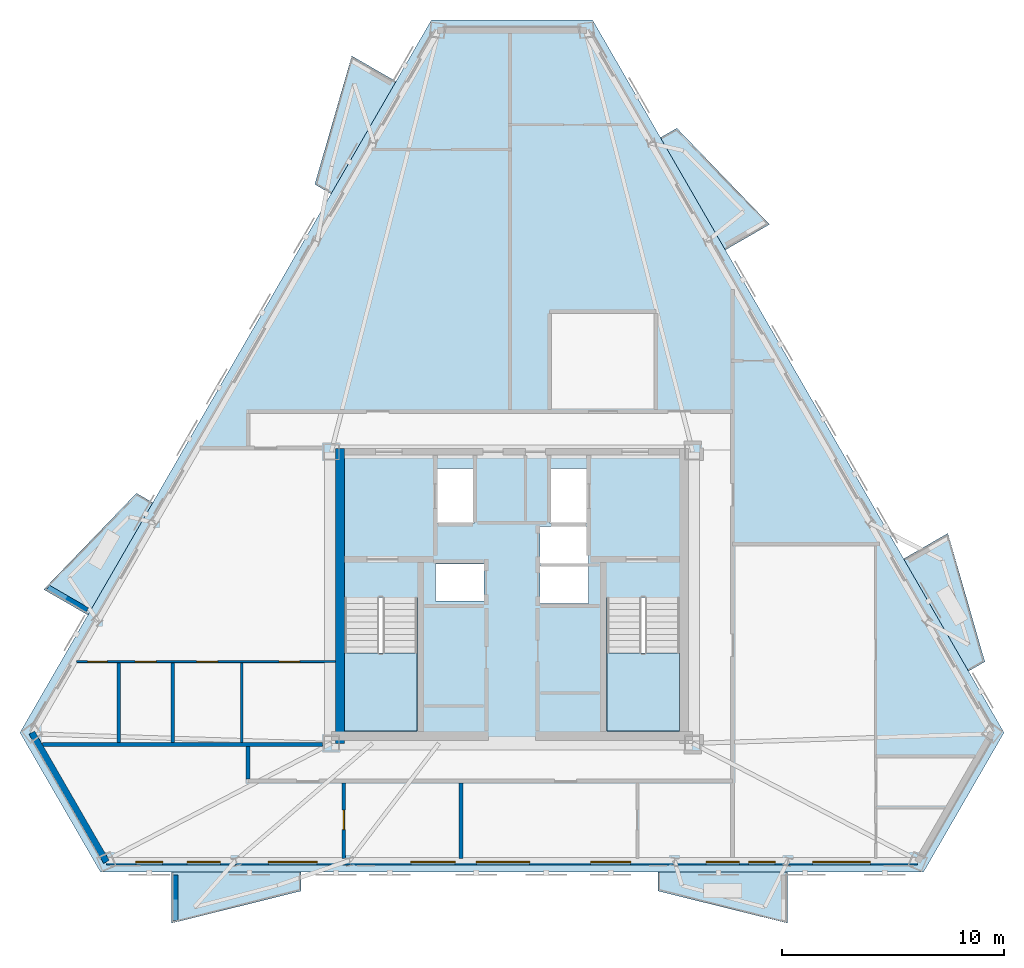
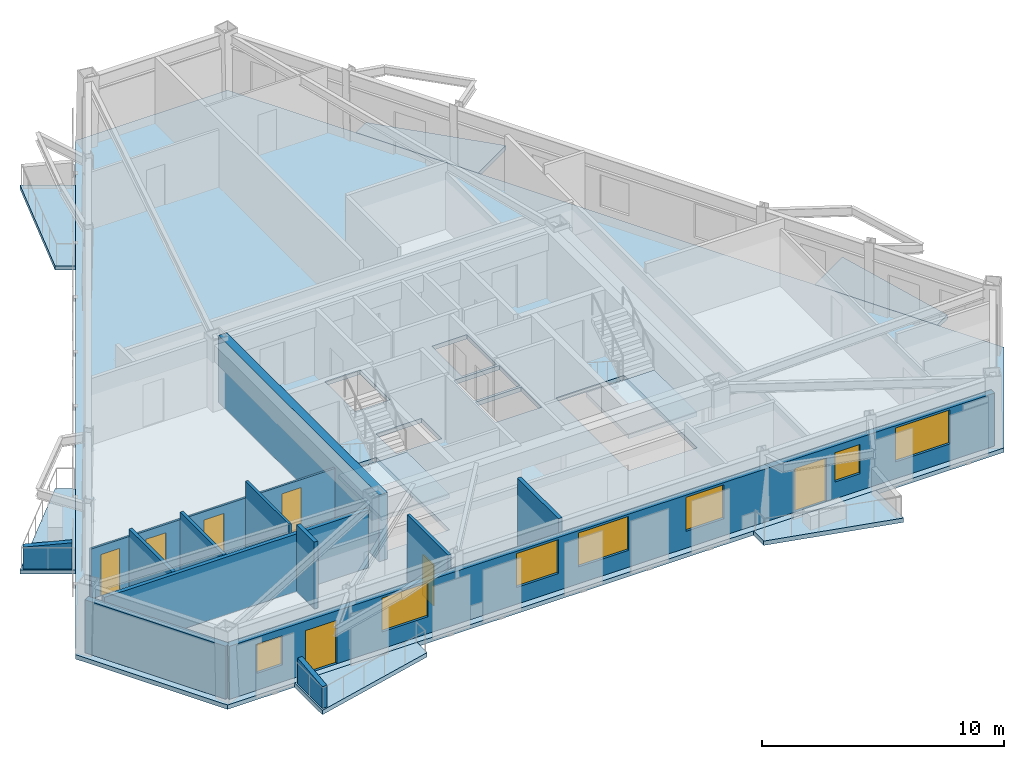
# One storey, part 2 of 8: 13 walls, 9 slabs, 7 doors, 7 windows, 14 openings, 2 elements without a shape of their own.
"""IFC4 building model written with IfcOpenShell, lengths in metres."""

from ifc_helpers import new_model, si_unit, direction, frame, frame_2d, origin, place, context, subcontext, project, spatial, polyline, rectangle, outline, extrude, material, layer, layer_set, type_object, element, fill, aggregate, save


model = new_model("IFC4")

# Units and contexts
model_context = context("Model", 3, precision=1e-05, world=origin(), true_north=direction((0.0, 1.0)))
body_context = subcontext(model_context, "Body", "Model", "MODEL_VIEW")
ifc_project = project(units=[si_unit("LENGTHUNIT", "METRE"), si_unit("AREAUNIT", "SQUARE_METRE"), si_unit("VOLUMEUNIT", "CUBIC_METRE"), si_unit("PLANEANGLEUNIT", "RADIAN"), si_unit("MASSUNIT", "GRAM", prefix="KILO")], contexts=[model_context])

# Site, building, storey
site_placement = place(None, origin())
site = spatial("IfcSite", under=ifc_project, at=site_placement, CompositionType="ELEMENT")
building_placement = place(site_placement, origin())
building = spatial("IfcBuilding", under=site, at=building_placement, Name="Oramaril Tower", CompositionType="ELEMENT")
storey_placement = place(building_placement, frame((0.0, 0.0, 216.300048828125)))
storey = spatial("IfcBuildingStorey", under=building, at=storey_placement, Name="L57", CompositionType="ELEMENT", Elevation=216.300048828125)

# Slabs
ifc_material_1 = material(Name="Concrete C40/50", Category="concrete")
ifc_layer_1 = layer(ifc_material_1, 0.199951171875)
ifc_layer_set_1 = layer_set([ifc_layer_1], Name="SLT-BAL20")
slab_type_1 = type_object("IfcSlabType", Name="SLT-BAL20", PredefinedType="FLOOR", material=ifc_layer_set_1)
slab_1_placement = place(storey_placement, frame((0.0, 0.0, -0.219970703125)))
element("IfcSlab", 1, at=slab_1_placement, inside=storey, type_object=slab_type_1, Name="L57 Cantilevered Balcony Slab L57-BAL-S1", PredefinedType="FLOOR", context=body_context, shape_type="SweptSolid", body=[
    extrude(outline(polyline([(22.14501953125, 5.193603515625), (27.9951171875, 5.193603515625), (27.9951171875, 4.341796875), (22.14501953125, 2.8916015625), (22.14501953125, 5.193603515625)])), origin(), (0.0, 0.0, 1.0), 0.219970703125),
])
slab_2_placement = place(storey_placement, frame((0.0, 0.0, -0.219970703125)))
element("IfcSlab", 2, at=slab_2_placement, inside=storey, type_object=slab_type_1, Name="L57 Cantilevered Balcony Slab L57-BAL-NE2", PredefinedType="FLOOR", context=body_context, shape_type="SweptSolid", body=[
    extrude(outline(polyline([(47.119384765625, 33.25146484375), (44.1943359375, 38.317626953125), (44.93212890625, 38.74365234375), (49.11279296875, 34.402587890625), (47.119384765625, 33.25146484375)])), origin(), (0.0, 0.0, 1.0), 0.219970703125),
])
slab_3_placement = place(storey_placement, frame((0.0, 0.0, -0.219970703125)))
element("IfcSlab", 3, at=slab_3_placement, inside=storey, type_object=slab_type_1, Name="L57 Cantilevered Balcony Slab L57-BAL-NW1", PredefinedType="FLOOR", context=body_context, shape_type="SweptSolid", body=[
    extrude(outline(polyline([(32.268310546875, 40.850830078125), (29.34326171875, 35.78466796875), (28.60546875, 36.210693359375), (30.274658203125, 42.001708984375), (32.268310546875, 40.850830078125)])), origin(), (0.0, 0.0, 1.0), 0.219970703125),
])
ifc_material_2 = material(Name="Concrete C50/60", Category="concrete")
ifc_layer_2 = layer(ifc_material_2, 0.219970703125)
ifc_layer_set_2 = layer_set([ifc_layer_2], Name="SLT-FLR22")
slab_type_2 = type_object("IfcSlabType", Name="SLT-FLR22", PredefinedType="FLOOR", material=ifc_layer_set_2)
slab_4_placement = place(storey_placement, frame((0.0, 0.0, -0.219970703125)))
element("IfcSlab", 4, at=slab_4_placement, inside=storey, type_object=slab_type_2, Name="L57 Structural Floor Slab", PredefinedType="FLOOR", context=body_context, shape_type="SweptSolid", body=[
    extrude(outline(polyline([(15.3115234375, 11.485107421875), (18.945068359375, 5.191650390625), (56.054931640625, 5.191650390625), (59.6884765625, 11.485107421875), (41.133544921875, 43.623046875), (33.866455078125, 43.623046875), (15.3115234375, 11.485107421875)]), holes=[polyline([(29.949951171875, 17.58935546875), (29.949951171875, 11.550048828125), (33.219970703125, 11.550048828125), (33.219970703125, 17.58935546875), (29.949951171875, 17.58935546875)]), polyline([(41.780029296875, 17.58935546875), (41.780029296875, 11.550048828125), (45.050048828125, 11.550048828125), (45.050048828125, 17.58935546875), (41.780029296875, 17.58935546875)]), polyline([(34.110107421875, 20.909912109375), (35.7900390625, 20.909912109375), (35.7900390625, 23.389892578125), (34.110107421875, 23.389892578125), (34.110107421875, 20.909912109375)]), polyline([(39.2099609375, 20.909912109375), (40.889892578125, 20.909912109375), (40.889892578125, 23.389892578125), (39.2099609375, 23.389892578125), (39.2099609375, 20.909912109375)]), polyline([(34.06005859375, 17.409912109375), (36.239990234375, 17.409912109375), (36.239990234375, 19.090087890625), (34.06005859375, 19.090087890625), (34.06005859375, 17.409912109375)]), polyline([(38.760009765625, 17.31005859375), (40.93994140625, 17.31005859375), (40.93994140625, 18.989990234375), (38.760009765625, 18.989990234375), (38.760009765625, 17.31005859375)]), polyline([(38.760009765625, 19.110107421875), (40.93994140625, 19.110107421875), (40.93994140625, 20.7900390625), (38.760009765625, 20.7900390625), (38.760009765625, 19.110107421875)])]), origin(), (0.0, 0.0, 1.0), 0.219970703125),
])

# Stair, slab
ifc_material_3 = material(Name="Concrete C50/60", Category="concrete")
stair_type = type_object("IfcStairType", Name="STT-DG-3600", PredefinedType="HALF_TURN_STAIR", material=ifc_material_3)
stair_1_placement = place(storey_placement, origin())
stair_1 = element("IfcStair", 5, at=stair_1_placement, inside=storey, type_object=stair_type, Name="L57 Protected PFP Exit Stair ST-1", PredefinedType="HALF_TURN_STAIR")
ifc_material_4 = material(Name="Concrete C50/60", Category="concrete")
ifc_layer_3 = layer(ifc_material_4, 0.199951171875)
ifc_layer_set_3 = layer_set([ifc_layer_3], Name="SLT-LND20")
slab_type_3 = type_object("IfcSlabType", Name="SLT-LND20", PredefinedType="LANDING", material=ifc_layer_set_3)
slab_5_placement = place(storey_placement, frame((0.0, 0.0, 1.599853515625)))
slab_5 = element("IfcSlab", 6, at=slab_5_placement, type_object=slab_type_3, Name="ST-1 landing 1", PredefinedType="LANDING", context=body_context, shape_type="SweptSolid", body=[
    extrude(outline(polyline([(29.949951171875, 15.070068359375), (29.949951171875, 11.550048828125), (33.219970703125, 11.550048828125), (33.219970703125, 15.070068359375), (29.949951171875, 15.070068359375)])), origin(), (0.0, 0.0, 1.0), 0.2001953125),
])
aggregate(stair_1, [slab_5])

stair_2_placement = place(storey_placement, origin())
stair_2 = element("IfcStair", 7, at=stair_2_placement, inside=storey, type_object=stair_type, Name="L57 Protected PFP Exit Stair ST-2", PredefinedType="HALF_TURN_STAIR")
slab_6_placement = place(storey_placement, frame((0.0, 0.0, 1.599853515625)))
slab_6 = element("IfcSlab", 8, at=slab_6_placement, type_object=slab_type_3, Name="ST-2 landing 1", PredefinedType="LANDING", context=body_context, shape_type="SweptSolid", body=[
    extrude(outline(polyline([(41.780029296875, 15.070068359375), (41.780029296875, 11.550048828125), (45.050048828125, 11.550048828125), (45.050048828125, 15.070068359375), (41.780029296875, 15.070068359375)])), origin(), (0.0, 0.0, 1.0), 0.2001953125),
])
aggregate(stair_2, [slab_6])

# Slabs
ifc_material_5 = material(Name="Concrete C40/50", Category="concrete")
ifc_layer_4 = layer(ifc_material_5, 0.18994140625)
ifc_layer_set_4 = layer_set([ifc_layer_4], Name="SLT-PLN19")
slab_type_4 = type_object("IfcSlabType", Name="SLT-PLN19", PredefinedType="FLOOR", material=ifc_layer_set_4)
slab_7_placement = place(storey_placement, frame((0.0, 0.0, -0.219970703125)))
element("IfcSlab", 9, at=slab_7_placement, inside=storey, type_object=slab_type_4, Name="L57 Tree Planter Balcony Slab L57-BAL-S2", PredefinedType="FLOOR", context=body_context, shape_type="SweptSolid", body=[
    extrude(outline(polyline([(44.079833984375, 5.193603515625), (49.929931640625, 5.193603515625), (49.929931640625, 2.8916015625), (44.079833984375, 4.341796875), (44.079833984375, 5.193603515625)])), origin(), (0.0, 0.0, 1.0), 0.219970703125),
])
slab_8_placement = place(storey_placement, frame((0.0, 0.0, -0.219970703125)))
element("IfcSlab", 10, at=slab_8_placement, inside=storey, type_object=slab_type_4, Name="L57 Tree Planter Balcony Slab L57-BAL-NE1", PredefinedType="FLOOR", context=body_context, shape_type="SweptSolid", body=[
    extrude(outline(polyline([(58.086669921875, 14.255615234375), (55.16162109375, 19.32177734375), (57.1552734375, 20.47265625), (58.824462890625, 14.681396484375), (58.086669921875, 14.255615234375)])), origin(), (0.0, 0.0, 1.0), 0.219970703125),
])
slab_9_placement = place(storey_placement, frame((0.0, 0.0, -0.219970703125)))
element("IfcSlab", 11, at=slab_9_placement, inside=storey, type_object=slab_type_4, Name="L57 Tree Planter Balcony Slab L57-BAL-NW2", PredefinedType="FLOOR", context=body_context, shape_type="SweptSolid", body=[
    extrude(outline(polyline([(21.30078125, 21.854736328125), (18.375732421875, 16.78857421875), (16.382080078125, 17.939697265625), (20.56298828125, 22.28076171875), (21.30078125, 21.854736328125)])), origin(), (0.0, 0.0, 1.0), 0.219970703125),
])

# Wall
ifc_material_6 = material(Name="Warm Cream Limestone", Category="masonry")
ifc_layer_5 = layer(ifc_material_6, 0.2900390625)
ifc_layer_set_5 = layer_set([ifc_layer_5], Name="WT-EXT29")
wall_type_1 = type_object("IfcWallType", Name="WT-EXT29", PredefinedType="SOLIDWALL", material=ifc_layer_set_5)
wall_1_placement = place(storey_placement, frame((15.8427734375, 11.485107421875, 0.0), z_axis=(0.0, 0.0, 1.0), x_axis=(0.499994363989, -0.866028657713, 0.0)))
element("IfcWall", 12, at=wall_1_placement, inside=storey, type_object=wall_type_1, Name="L57 Tower Limestone Facade Wall 1M", PredefinedType="SOLIDWALL", context=body_context, shape_type="SweptSolid", body=[
    extrude(rectangle(XDim=6.73583984375, YDim=0.2900390625, at=frame_2d((3.367919921875, 0.0))), origin(), (0.0, 0.0, 1.0), 2.677001953125),
])

# Wall, openings, doors, windows
wall_2_placement = place(storey_placement, frame((19.210693359375, 5.651611328125, 0.0), z_axis=(0.0, 0.0, 1.0), x_axis=(1.0, 0.0, 0.0)))
wall_2 = element("IfcWall", 13, at=wall_2_placement, inside=storey, type_object=wall_type_1, Name="L57 Tower Limestone Facade Wall 2M", PredefinedType="SOLIDWALL", context=body_context, shape_type="SweptSolid", body=[
    extrude(rectangle(XDim=36.57861328125, YDim=0.2900390625, at=frame_2d((18.289306640625, 0.0))), origin(), (0.0, 0.0, 1.0), 2.677001953125),
])
opening_1_placement = place(wall_2_placement, frame((3.639404296875, 0.0, 0.0)))
opening_1 = element("IfcOpeningElement", 14, at=opening_1_placement, cuts=wall_2, Name="Opening D-L57-BAL-S1", PredefinedType="OPENING", context=body_context, shape_type="SweptSolid", body=[
    extrude(rectangle(XDim=1.5, YDim=2.199951171875, at=frame_2d((0.75, 1.10009765625))), frame((0.0, 0.14501953125, 0.0), z_axis=(0.0, -1.0, 0.0), x_axis=(1.0, 0.0, 0.0)), (0.0, 0.0, 1.0), 0.2900390625),
])
opening_2_placement = place(wall_2_placement, frame((27.044189453125, 0.0, 0.0)))
opening_2 = element("IfcOpeningElement", 15, at=opening_2_placement, cuts=wall_2, Name="Opening D-L57-BAL-S2", PredefinedType="OPENING", context=body_context, shape_type="SweptSolid", body=[
    extrude(rectangle(XDim=1.5, YDim=2.199951171875, at=frame_2d((0.75, 1.10009765625))), frame((0.0, 0.14501953125, 0.0), z_axis=(0.0, -1.0, 0.0), x_axis=(1.0, 0.0, 0.0)), (0.0, 0.0, 1.0), 0.2900390625),
])
opening_3_placement = place(wall_2_placement, frame((1.33056640625, 0.0, 0.85009765625)))
opening_3 = element("IfcOpeningElement", 16, at=opening_3_placement, cuts=wall_2, Name="Opening WN-09", PredefinedType="OPENING", context=body_context, shape_type="SweptSolid", body=[
    extrude(rectangle(XDim=1.199951171875, YDim=1.47998046875, at=frame_2d((0.60009765625, 0.739990234375))), frame((0.0, 0.14501953125, 0.0), z_axis=(0.0, -1.0, 0.0), x_axis=(1.0, 0.0, 0.0)), (0.0, 0.0, 1.0), 0.2900390625),
])
opening_4_placement = place(wall_2_placement, frame((7.303955078125, 0.0, 0.85009765625)))
opening_4 = element("IfcOpeningElement", 17, at=opening_4_placement, cuts=wall_2, Name="Opening WN-04", PredefinedType="OPENING", context=body_context, shape_type="SweptSolid", body=[
    extrude(rectangle(XDim=2.199951171875, YDim=1.717041015625, at=frame_2d((1.10009765625, 0.8583984375))), frame((0.0, 0.14501953125, 0.0), z_axis=(0.0, -1.0, 0.0), x_axis=(1.0, 0.0, 0.0)), (0.0, 0.0, 1.0), 0.2900390625),
])
opening_5_placement = place(wall_2_placement, frame((13.726318359375, 0.0, 0.85009765625)))
opening_5 = element("IfcOpeningElement", 18, at=opening_5_placement, cuts=wall_2, Name="Opening WN-05", PredefinedType="OPENING", context=body_context, shape_type="SweptSolid", body=[
    extrude(rectangle(XDim=2.0, YDim=1.717041015625, at=frame_2d((1.0, 0.8583984375))), frame((0.0, 0.14501953125, 0.0), z_axis=(0.0, -1.0, 0.0), x_axis=(1.0, 0.0, 0.0)), (0.0, 0.0, 1.0), 0.2900390625),
])
opening_6_placement = place(wall_2_placement, frame((16.687255859375, 0.0, 0.85009765625)))
opening_6 = element("IfcOpeningElement", 19, at=opening_6_placement, cuts=wall_2, Name="Opening WN-03", PredefinedType="OPENING", context=body_context, shape_type="SweptSolid", body=[
    extrude(rectangle(XDim=2.39990234375, YDim=1.717041015625, at=frame_2d((1.199951171875, 0.8583984375))), frame((0.0, 0.14501953125, 0.0), z_axis=(0.0, -1.0, 0.0), x_axis=(1.0, 0.0, 0.0)), (0.0, 0.0, 1.0), 0.2900390625),
])
opening_7_placement = place(wall_2_placement, frame((21.837158203125, 0.0, 0.85009765625)))
opening_7 = element("IfcOpeningElement", 20, at=opening_7_placement, cuts=wall_2, Name="Opening WN-06", PredefinedType="OPENING", context=body_context, shape_type="SweptSolid", body=[
    extrude(rectangle(XDim=1.800048828125, YDim=1.717041015625, at=frame_2d((0.89990234375, 0.8583984375))), frame((0.0, 0.14501953125, 0.0), z_axis=(0.0, -1.0, 0.0), x_axis=(1.0, 0.0, 0.0)), (0.0, 0.0, 1.0), 0.2900390625),
])
opening_8_placement = place(wall_2_placement, frame((28.955078125, 0.0, 0.85009765625)))
opening_8 = element("IfcOpeningElement", 21, at=opening_8_placement, cuts=wall_2, Name="Opening WN-09", PredefinedType="OPENING", context=body_context, shape_type="SweptSolid", body=[
    extrude(rectangle(XDim=1.199951171875, YDim=1.47998046875, at=frame_2d((0.60009765625, 0.739990234375))), frame((0.0, 0.14501953125, 0.0), z_axis=(0.0, -1.0, 0.0), x_axis=(1.0, 0.0, 0.0)), (0.0, 0.0, 1.0), 0.2900390625),
])
opening_9_placement = place(wall_2_placement, frame((31.846923828125, 0.0, 0.85009765625)))
opening_9 = element("IfcOpeningElement", 22, at=opening_9_placement, cuts=wall_2, Name="Opening WN-02", PredefinedType="OPENING", context=body_context, shape_type="SweptSolid", body=[
    extrude(rectangle(XDim=2.60009765625, YDim=1.717041015625, at=frame_2d((1.300048828125, 0.8583984375))), frame((0.0, 0.14501953125, 0.0), z_axis=(0.0, -1.0, 0.0), x_axis=(1.0, 0.0, 0.0)), (0.0, 0.0, 1.0), 0.2900390625),
])
ifc_material_7 = material(Name="Anodised Aluminium 6063-T6", Category="aluminium")
door_type_1 = type_object("IfcDoorType", Name="DT-BAL", OperationType="NOTDEFINED", PredefinedType="DOOR", material=ifc_material_7)
door_1_placement = place(opening_1_placement, origin())
door_1 = element("IfcDoor", 23, at=door_1_placement, inside=storey, type_object=door_type_1, Name="L57 Balcony Glazed Door L57-BAL-S1", OperationType="SINGLE_SWING_RIGHT", OverallHeight=2.199951171875, OverallWidth=1.5, PredefinedType="DOOR", context=body_context, shape_type="SweptSolid", body=[
    extrude(rectangle(XDim=1.5, YDim=2.199951171875, at=frame_2d((0.75, 1.10009765625))), frame((0.0, 0.02490234375, 0.0), z_axis=(0.0, -1.0, 0.0), x_axis=(1.0, 0.0, 0.0)), (0.0, 0.0, 1.0), 0.050048828125),
])
fill(opening_1, door_1)
door_2_placement = place(opening_2_placement, origin())
door_2 = element("IfcDoor", 24, at=door_2_placement, inside=storey, type_object=door_type_1, Name="L57 Balcony Glazed Door L57-BAL-S2", OperationType="SINGLE_SWING_LEFT", OverallHeight=2.199951171875, OverallWidth=1.5, PredefinedType="DOOR", context=body_context, shape_type="SweptSolid", body=[
    extrude(rectangle(XDim=1.5, YDim=2.199951171875, at=frame_2d((0.75, 1.10009765625))), frame((0.0, 0.02490234375, 0.0), z_axis=(0.0, -1.0, 0.0), x_axis=(1.0, 0.0, 0.0)), (0.0, 0.0, 1.0), 0.050048828125),
])
fill(opening_2, door_2)
ifc_material_8 = material(Name="Coastal Low-E Insulated Glass", Category="glass")
window_type_1 = type_object("IfcWindowType", Name="WNT-02", PartitioningType="SINGLE_PANEL", PredefinedType="WINDOW", material=ifc_material_8)
window_1_placement = place(opening_9_placement, origin())
window_1 = element("IfcWindow", 25, at=window_1_placement, inside=storey, type_object=window_type_1, Name="L57 Chicago Bay Window WN-02", OverallHeight=1.717041015625, OverallWidth=2.60009765625, PartitioningType="SINGLE_PANEL", PredefinedType="WINDOW", context=body_context, shape_type="SweptSolid", body=[
    extrude(rectangle(XDim=2.60009765625, YDim=1.717041015625, at=frame_2d((1.300048828125, 0.8583984375))), frame((0.0, 0.030029296875, 0.0), z_axis=(0.0, -1.0, 0.0), x_axis=(1.0, 0.0, 0.0)), (0.0, 0.0, 1.0), 0.06005859375),
])
fill(opening_9, window_1)
ifc_material_9 = material(Name="Coastal Low-E Insulated Glass", Category="glass")
window_type_2 = type_object("IfcWindowType", Name="WNT-03", PartitioningType="SINGLE_PANEL", PredefinedType="WINDOW", material=ifc_material_9)
window_2_placement = place(opening_6_placement, origin())
window_2 = element("IfcWindow", 26, at=window_2_placement, inside=storey, type_object=window_type_2, Name="L57 Chicago Bay Window WN-03", OverallHeight=1.717041015625, OverallWidth=2.39990234375, PartitioningType="SINGLE_PANEL", PredefinedType="WINDOW", context=body_context, shape_type="SweptSolid", body=[
    extrude(rectangle(XDim=2.39990234375, YDim=1.717041015625, at=frame_2d((1.199951171875, 0.8583984375))), frame((0.0, 0.030029296875, 0.0), z_axis=(0.0, -1.0, 0.0), x_axis=(1.0, 0.0, 0.0)), (0.0, 0.0, 1.0), 0.06005859375),
])
fill(opening_6, window_2)
ifc_material_10 = material(Name="Coastal Low-E Insulated Glass", Category="glass")
window_type_3 = type_object("IfcWindowType", Name="WNT-04", PartitioningType="SINGLE_PANEL", PredefinedType="WINDOW", material=ifc_material_10)
window_3_placement = place(opening_4_placement, origin())
window_3 = element("IfcWindow", 27, at=window_3_placement, inside=storey, type_object=window_type_3, Name="L57 Chicago Bay Window WN-04", OverallHeight=1.717041015625, OverallWidth=2.199951171875, PartitioningType="SINGLE_PANEL", PredefinedType="WINDOW", context=body_context, shape_type="SweptSolid", body=[
    extrude(rectangle(XDim=2.199951171875, YDim=1.717041015625, at=frame_2d((1.10009765625, 0.8583984375))), frame((0.0, 0.030029296875, 0.0), z_axis=(0.0, -1.0, 0.0), x_axis=(1.0, 0.0, 0.0)), (0.0, 0.0, 1.0), 0.06005859375),
])
fill(opening_4, window_3)
ifc_material_11 = material(Name="Coastal Low-E Insulated Glass", Category="glass")
window_type_4 = type_object("IfcWindowType", Name="WNT-05", PartitioningType="SINGLE_PANEL", PredefinedType="WINDOW", material=ifc_material_11)
window_4_placement = place(opening_5_placement, origin())
window_4 = element("IfcWindow", 28, at=window_4_placement, inside=storey, type_object=window_type_4, Name="L57 Chicago Bay Window WN-05", OverallHeight=1.717041015625, OverallWidth=2.0, PartitioningType="SINGLE_PANEL", PredefinedType="WINDOW", context=body_context, shape_type="SweptSolid", body=[
    extrude(rectangle(XDim=2.0, YDim=1.717041015625, at=frame_2d((1.0, 0.8583984375))), frame((0.0, 0.030029296875, 0.0), z_axis=(0.0, -1.0, 0.0), x_axis=(1.0, 0.0, 0.0)), (0.0, 0.0, 1.0), 0.06005859375),
])
fill(opening_5, window_4)
ifc_material_12 = material(Name="Coastal Low-E Insulated Glass", Category="glass")
window_type_5 = type_object("IfcWindowType", Name="WNT-06", PartitioningType="SINGLE_PANEL", PredefinedType="WINDOW", material=ifc_material_12)
window_5_placement = place(opening_7_placement, origin())
window_5 = element("IfcWindow", 29, at=window_5_placement, inside=storey, type_object=window_type_5, Name="L57 Chicago Bay Window WN-06", OverallHeight=1.717041015625, OverallWidth=1.800048828125, PartitioningType="SINGLE_PANEL", PredefinedType="WINDOW", context=body_context, shape_type="SweptSolid", body=[
    extrude(rectangle(XDim=1.800048828125, YDim=1.717041015625, at=frame_2d((0.89990234375, 0.8583984375))), frame((0.0, 0.030029296875, 0.0), z_axis=(0.0, -1.0, 0.0), x_axis=(1.0, 0.0, 0.0)), (0.0, 0.0, 1.0), 0.06005859375),
])
fill(opening_7, window_5)
ifc_material_13 = material(Name="Coastal Low-E Insulated Glass", Category="glass")
window_type_6 = type_object("IfcWindowType", Name="WNT-09", PartitioningType="SINGLE_PANEL", PredefinedType="WINDOW", material=ifc_material_13)
window_6_placement = place(opening_3_placement, origin())
window_6 = element("IfcWindow", 30, at=window_6_placement, inside=storey, type_object=window_type_6, Name="L57 Chicago Bay Window WN-09", OverallHeight=1.47998046875, OverallWidth=1.199951171875, PartitioningType="SINGLE_PANEL", PredefinedType="WINDOW", context=body_context, shape_type="SweptSolid", body=[
    extrude(rectangle(XDim=1.199951171875, YDim=1.47998046875, at=frame_2d((0.60009765625, 0.739990234375))), frame((0.0, 0.030029296875, 0.0), z_axis=(0.0, -1.0, 0.0), x_axis=(1.0, 0.0, 0.0)), (0.0, 0.0, 1.0), 0.06005859375),
])
fill(opening_3, window_6)
window_7_placement = place(opening_8_placement, origin())
window_7 = element("IfcWindow", 31, at=window_7_placement, inside=storey, type_object=window_type_6, Name="L57 Chicago Bay Window WN-09", OverallHeight=1.47998046875, OverallWidth=1.199951171875, PartitioningType="SINGLE_PANEL", PredefinedType="WINDOW", context=body_context, shape_type="SweptSolid", body=[
    extrude(rectangle(XDim=1.199951171875, YDim=1.47998046875, at=frame_2d((0.60009765625, 0.739990234375))), frame((0.0, 0.030029296875, 0.0), z_axis=(0.0, -1.0, 0.0), x_axis=(1.0, 0.0, 0.0)), (0.0, 0.0, 1.0), 0.06005859375),
])
fill(opening_8, window_7)

# Walls
ifc_material_14 = material(Name="Concrete C40/50", Category="concrete")
ifc_layer_6 = layer(ifc_material_14, 0.22998046875)
ifc_layer_set_6 = layer_set([ifc_layer_6], Name="WT-PRP23")
wall_type_2 = type_object("IfcWallType", Name="WT-PRP23", PredefinedType="PARAPET", material=ifc_layer_set_6)
for number, where, z_axis, x_axis, name in (
    (32, (22.3251953125, 5.0537109375, 0.0), (0.0, 0.0, 1.0), (0.0, -1.0, 0.0), "L57 Trapezoidal Balcony Frame Cheek L57-BAL-S1-L"),
    (33, (18.344482421875, 17.014404296875, 0.0), (0.0, 0.0, 1.0), (-0.866012356593, 0.500022597718, 0.0), "L57 Trapezoidal Balcony Frame Cheek L57-BAL-NW2-R"),
):
    element("IfcWall", number, at=place(storey_placement, frame(where, z_axis=z_axis, x_axis=x_axis)), inside=storey, type_object=wall_type_2, Name=name, PredefinedType="PARAPET", context=body_context, shape_type="SweptSolid", body=[
        extrude(outline(polyline([(0.0, 0.0), (2.0419921875, 0.0), (2.0419921875, 1.099853515625), (0.0, 1.320068359375), (0.0, 0.0)])), frame((0.0, 0.114990234375, 0.0), z_axis=(0.0, -1.0, 0.0), x_axis=(1.0, 0.0, 0.0)), (0.0, 0.0, 1.0), 0.22998046875),
    ])

# Wall, openings, doors
ifc_material_15 = material(Name="Acoustic Gypsum Board Partition")
ifc_layer_7 = layer(ifc_material_15, 0.10009765625)
ifc_layer_set_7 = layer_set([ifc_layer_7], Name="WT-PT10")
wall_type_3 = type_object("IfcWallType", Name="WT-PT10", PredefinedType="PARTITIONING", material=ifc_layer_set_7)
wall_3_placement = place(storey_placement, frame((17.864990234375, 14.68994140625, 0.0), z_axis=(0.0, 0.0, 1.0), x_axis=(1.0, 0.0, 0.0)))
wall_3 = element("IfcWall", 34, at=wall_3_placement, inside=storey, type_object=wall_type_3, Name="L57 Interior Partition PT-10", PredefinedType="PARTITIONING", context=body_context, shape_type="SweptSolid", body=[
    extrude(rectangle(XDim=11.6708984375, YDim=0.10009765625, at=frame_2d((5.83544921875, 0.0))), origin(), (0.0, 0.0, 1.0), 2.52001953125),
])
opening_10_placement = place(wall_3_placement, frame((0.493408203125, 0.0, 0.0)))
opening_10 = element("IfcOpeningElement", 35, at=opening_10_placement, cuts=wall_3, Name="Opening D-L57-03", PredefinedType="OPENING", context=body_context, shape_type="SweptSolid", body=[
    extrude(rectangle(XDim=0.8798828125, YDim=2.080078125, at=frame_2d((0.43994140625, 1.0400390625))), frame((0.0, 0.050048828125, 0.0), z_axis=(0.0, -1.0, 0.0), x_axis=(1.0, 0.0, 0.0)), (0.0, 0.0, 1.0), 0.10009765625),
])
opening_11_placement = place(wall_3_placement, frame((2.63671875, 0.0, 0.0)))
opening_11 = element("IfcOpeningElement", 36, at=opening_11_placement, cuts=wall_3, Name="Opening D-L57-04", PredefinedType="OPENING", context=body_context, shape_type="SweptSolid", body=[
    extrude(rectangle(XDim=0.949951171875, YDim=2.10009765625, at=frame_2d((0.47509765625, 1.050048828125))), frame((0.0, 0.050048828125, 0.0), z_axis=(0.0, -1.0, 0.0), x_axis=(1.0, 0.0, 0.0)), (0.0, 0.0, 1.0), 0.10009765625),
])
opening_12_placement = place(wall_3_placement, frame((5.412353515625, 0.0, 0.0)))
opening_12 = element("IfcOpeningElement", 37, at=opening_12_placement, cuts=wall_3, Name="Opening D-L57-05", PredefinedType="OPENING", context=body_context, shape_type="SweptSolid", body=[
    extrude(rectangle(XDim=0.949951171875, YDim=2.10009765625, at=frame_2d((0.47509765625, 1.050048828125))), frame((0.0, 0.050048828125, 0.0), z_axis=(0.0, -1.0, 0.0), x_axis=(1.0, 0.0, 0.0)), (0.0, 0.0, 1.0), 0.10009765625),
])
opening_13_placement = place(wall_3_placement, frame((9.134521484375, 0.0, 0.0)))
opening_13 = element("IfcOpeningElement", 38, at=opening_13_placement, cuts=wall_3, Name="Opening D-L57-06", PredefinedType="OPENING", context=body_context, shape_type="SweptSolid", body=[
    extrude(rectangle(XDim=0.919921875, YDim=2.1201171875, at=frame_2d((0.4599609375, 1.06005859375))), frame((0.0, 0.050048828125, 0.0), z_axis=(0.0, -1.0, 0.0), x_axis=(1.0, 0.0, 0.0)), (0.0, 0.0, 1.0), 0.10009765625),
])
ifc_material_16 = material(Name="FSC Brazilian Freijo Hardwood", Category="wood")
door_type_2 = type_object("IfcDoorType", Name="DT-BATH", OperationType="NOTDEFINED", PredefinedType="DOOR", material=ifc_material_16)
door_3_placement = place(opening_10_placement, origin())
door_3 = element("IfcDoor", 39, at=door_3_placement, inside=storey, type_object=door_type_2, Name="L57 Flat L57-U3 Bathroom Door D-L57-03", OperationType="SINGLE_SWING_LEFT", OverallHeight=2.080078125, OverallWidth=0.8798828125, PredefinedType="DOOR", context=body_context, shape_type="SweptSolid", body=[
    extrude(rectangle(XDim=0.8798828125, YDim=2.080078125, at=frame_2d((0.43994140625, 1.0400390625))), frame((0.0, 0.02490234375, 0.0), z_axis=(0.0, -1.0, 0.0), x_axis=(1.0, 0.0, 0.0)), (0.0, 0.0, 1.0), 0.050048828125),
])
fill(opening_10, door_3)
ifc_material_17 = material(Name="FSC Brazilian Freijo Hardwood", Category="wood")
door_type_3 = type_object("IfcDoorType", Name="DT-BED", OperationType="NOTDEFINED", PredefinedType="DOOR", material=ifc_material_17)
door_4_placement = place(opening_13_placement, origin())
door_4 = element("IfcDoor", 40, at=door_4_placement, inside=storey, type_object=door_type_3, Name="L57 Flat L57-U3 Master Bedroom Door D-L57-06", OperationType="SINGLE_SWING_RIGHT", OverallHeight=2.1201171875, OverallWidth=0.919921875, PredefinedType="DOOR", context=body_context, shape_type="SweptSolid", body=[
    extrude(rectangle(XDim=0.919921875, YDim=2.1201171875, at=frame_2d((0.4599609375, 1.06005859375))), frame((0.0, 0.02490234375, 0.0), z_axis=(0.0, -1.0, 0.0), x_axis=(1.0, 0.0, 0.0)), (0.0, 0.0, 1.0), 0.050048828125),
])
fill(opening_13, door_4)
ifc_material_18 = material(Name="FSC Brazilian Freijo Hardwood", Category="wood")
door_type_4 = type_object("IfcDoorType", Name="DT-STDY", OperationType="NOTDEFINED", PredefinedType="DOOR", material=ifc_material_18)
door_5_placement = place(opening_11_placement, origin())
door_5 = element("IfcDoor", 41, at=door_5_placement, inside=storey, type_object=door_type_4, Name="L57 Flat L57-U3 Kitchen Door D-L57-04", OperationType="SINGLE_SWING_RIGHT", OverallHeight=2.10009765625, OverallWidth=0.949951171875, PredefinedType="DOOR", context=body_context, shape_type="SweptSolid", body=[
    extrude(rectangle(XDim=0.949951171875, YDim=2.10009765625, at=frame_2d((0.47509765625, 1.050048828125))), frame((0.0, 0.02490234375, 0.0), z_axis=(0.0, -1.0, 0.0), x_axis=(1.0, 0.0, 0.0)), (0.0, 0.0, 1.0), 0.050048828125),
])
fill(opening_11, door_5)
door_6_placement = place(opening_12_placement, origin())
door_6 = element("IfcDoor", 42, at=door_6_placement, inside=storey, type_object=door_type_4, Name="L57 Flat L57-U3 Home Office Door D-L57-05", OperationType="SINGLE_SWING_LEFT", OverallHeight=2.10009765625, OverallWidth=0.949951171875, PredefinedType="DOOR", context=body_context, shape_type="SweptSolid", body=[
    extrude(rectangle(XDim=0.949951171875, YDim=2.10009765625, at=frame_2d((0.47509765625, 1.050048828125))), frame((0.0, 0.02490234375, 0.0), z_axis=(0.0, -1.0, 0.0), x_axis=(1.0, 0.0, 0.0)), (0.0, 0.0, 1.0), 0.050048828125),
])
fill(opening_12, door_6)

# Walls
ifc_material_19 = material(Name="Acoustic Gypsum Board Partition")
ifc_layer_8 = layer(ifc_material_19, 0.1201171875)
ifc_layer_set_8 = layer_set([ifc_layer_8], Name="WT-PT12")
wall_type_4 = type_object("IfcWallType", Name="WT-PT12", PredefinedType="PARTITIONING", material=ifc_layer_set_8)
wall_4_placement = place(storey_placement, frame((25.31005859375, 11.0439453125, 0.0), z_axis=(0.0, 0.0, 1.0), x_axis=(0.0, 1.0, 0.0)))
element("IfcWall", 43, at=wall_4_placement, inside=storey, type_object=wall_type_4, Name="L57 Interior Partition PT-12", PredefinedType="PARTITIONING", context=body_context, shape_type="SweptSolid", body=[
    extrude(rectangle(XDim=3.592041015625, YDim=0.1201171875, at=frame_2d((1.7958984375, 0.0))), origin(), (0.0, 0.0, 1.0), 3.3798828125),
])
ifc_material_20 = material(Name="Acoustic Gypsum Board Partition")
ifc_layer_9 = layer(ifc_material_20, 0.139892578125)
ifc_layer_set_9 = layer_set([ifc_layer_9], Name="WT-PT14")
wall_type_5 = type_object("IfcWallType", Name="WT-PT14", PredefinedType="PARTITIONING", material=ifc_layer_set_9)
wall_5_placement = place(storey_placement, frame((22.199951171875, 11.0439453125, 0.0), z_axis=(0.0, 0.0, 1.0), x_axis=(0.0, 1.0, 0.0)))
element("IfcWall", 44, at=wall_5_placement, inside=storey, type_object=wall_type_5, Name="L57 Interior Partition PT-14", PredefinedType="PARTITIONING", context=body_context, shape_type="SweptSolid", body=[
    extrude(rectangle(XDim=3.592041015625, YDim=0.139892578125, at=frame_2d((1.7958984375, 0.0))), origin(), (0.0, 0.0, 1.0), 2.912841796875),
])

# Wall, opening, door
wall_6_placement = place(storey_placement, frame((29.909912109375, 5.80078125, 0.0), z_axis=(0.0, 0.0, 1.0), x_axis=(0.0, 1.0, 0.0)))
wall_6 = element("IfcWall", 45, at=wall_6_placement, inside=storey, type_object=wall_type_5, Name="L57 Interior Partition PT-14", PredefinedType="PARTITIONING", context=body_context, shape_type="SweptSolid", body=[
    extrude(rectangle(XDim=3.4052734375, YDim=0.139892578125, at=frame_2d((1.70263671875, 0.0))), origin(), (0.0, 0.0, 1.0), 3.3798828125),
])
opening_14_placement = place(wall_6_placement, frame((1.310302734375, 0.0, 0.0)))
opening_14 = element("IfcOpeningElement", 46, at=opening_14_placement, cuts=wall_6, Name="Opening D-L57-14", PredefinedType="OPENING", context=body_context, shape_type="SweptSolid", body=[
    extrude(rectangle(XDim=0.8798828125, YDim=2.080078125, at=frame_2d((0.43994140625, 1.0400390625))), frame((0.0, 0.06982421875, 0.0), z_axis=(0.0, -1.0, 0.0), x_axis=(1.0, 0.0, 0.0)), (0.0, 0.0, 1.0), 0.139892578125),
])
door_7_placement = place(opening_14_placement, origin())
door_7 = element("IfcDoor", 47, at=door_7_placement, inside=storey, type_object=door_type_2, Name="L57 Flat L57-U1 Bathroom Door D-L57-14", OperationType="SINGLE_SWING_RIGHT", OverallHeight=2.080078125, OverallWidth=0.8798828125, PredefinedType="DOOR", context=body_context, shape_type="SweptSolid", body=[
    extrude(rectangle(XDim=0.8798828125, YDim=2.080078125, at=frame_2d((0.43994140625, 1.0400390625))), frame((0.0, 0.02490234375, 0.0), z_axis=(0.0, -1.0, 0.0), x_axis=(1.0, 0.0, 0.0)), (0.0, 0.0, 1.0), 0.050048828125),
])
fill(opening_14, door_7)

# Walls
ifc_material_21 = material(Name="Acoustic Gypsum Board Partition")
ifc_layer_10 = layer(ifc_material_21, 0.159912109375)
ifc_layer_set_10 = layer_set([ifc_layer_10], Name="WT-PT16")
wall_type_6 = type_object("IfcWallType", Name="WT-PT16", PredefinedType="PARTITIONING", material=ifc_layer_set_10)
wall_7_placement = place(storey_placement, frame((19.760009765625, 11.0439453125, 0.0), z_axis=(0.0, 0.0, 1.0), x_axis=(0.0, 1.0, 0.0)))
element("IfcWall", 48, at=wall_7_placement, inside=storey, type_object=wall_type_6, Name="L57 Interior Partition PT-16", PredefinedType="PARTITIONING", context=body_context, shape_type="SweptSolid", body=[
    extrude(rectangle(XDim=3.592041015625, YDim=0.159912109375, at=frame_2d((1.7958984375, 0.0))), origin(), (0.0, 0.0, 1.0), 2.912841796875),
])
ifc_material_22 = material(Name="Autoclaved Cellular Concrete Block", Category="concrete")
ifc_layer_11 = layer(ifc_material_22, 0.179931640625)
ifc_layer_set_11 = layer_set([ifc_layer_11], Name="WT-PT18")
wall_type_7 = type_object("IfcWallType", Name="WT-PT18", PredefinedType="PARTITIONING", material=ifc_layer_set_11)
wall_8_placement = place(storey_placement, frame((16.32373046875, 10.949951171875, 0.0), z_axis=(0.0, 0.0, 1.0), x_axis=(1.0, 0.0, 0.0)))
element("IfcWall", 49, at=wall_8_placement, inside=storey, type_object=wall_type_7, Name="L57 Interior Partition PT-18", PredefinedType="PARTITIONING", context=body_context, shape_type="SweptSolid", body=[
    extrude(rectangle(XDim=12.63623046875, YDim=0.179931640625, at=frame_2d((6.318115234375, 0.0))), origin(), (0.0, 0.0, 1.0), 2.912841796875),
])
wall_9_placement = place(storey_placement, frame((25.60009765625, 9.39404296875, 0.0), z_axis=(0.0, 0.0, 1.0), x_axis=(0.0, 1.0, 0.0)))
element("IfcWall", 50, at=wall_9_placement, inside=storey, type_object=wall_type_7, Name="L57 Interior Partition PT-18", PredefinedType="PARTITIONING", context=body_context, shape_type="SweptSolid", body=[
    extrude(rectangle(XDim=1.4619140625, YDim=0.179931640625, at=frame_2d((0.73095703125, 0.0))), origin(), (0.0, 0.0, 1.0), 3.3798828125),
])
wall_10_placement = place(storey_placement, frame((35.199951171875, 5.80078125, 0.0), z_axis=(0.0, 0.0, 1.0), x_axis=(0.0, 1.0, 0.0)))
element("IfcWall", 51, at=wall_10_placement, inside=storey, type_object=wall_type_7, Name="L57 Interior Partition PT-18", PredefinedType="PARTITIONING", context=body_context, shape_type="SweptSolid", body=[
    extrude(rectangle(XDim=3.4052734375, YDim=0.179931640625, at=frame_2d((1.70263671875, 0.0))), origin(), (0.0, 0.0, 1.0), 3.3798828125),
])
ifc_material_23 = material(Name="Concrete C50/60", Category="concrete")
ifc_layer_12 = layer(ifc_material_23, 0.39990234375)
ifc_layer_set_12 = layer_set([ifc_layer_12], Name="WT-SH40")
wall_type_8 = type_object("IfcWallType", Name="WT-SH40", PredefinedType="SHEAR", material=ifc_layer_set_12)
wall_11_placement = place(storey_placement, frame((29.739990234375, 11.0, 0.0), z_axis=(0.0, 0.0, 1.0), x_axis=(0.0, 1.0, 0.0)))
element("IfcWall", 52, at=wall_11_placement, inside=storey, type_object=wall_type_8, Name="L57 Core Shear Wall CW-W", PredefinedType="SHEAR", context=body_context, shape_type="SweptSolid", body=[
    extrude(rectangle(XDim=13.300048828125, YDim=0.39990234375, at=frame_2d((6.64990234375, 0.0))), origin(), (0.0, 0.0, 1.0), 3.3798828125),
])

save(model, "model.ifc")
